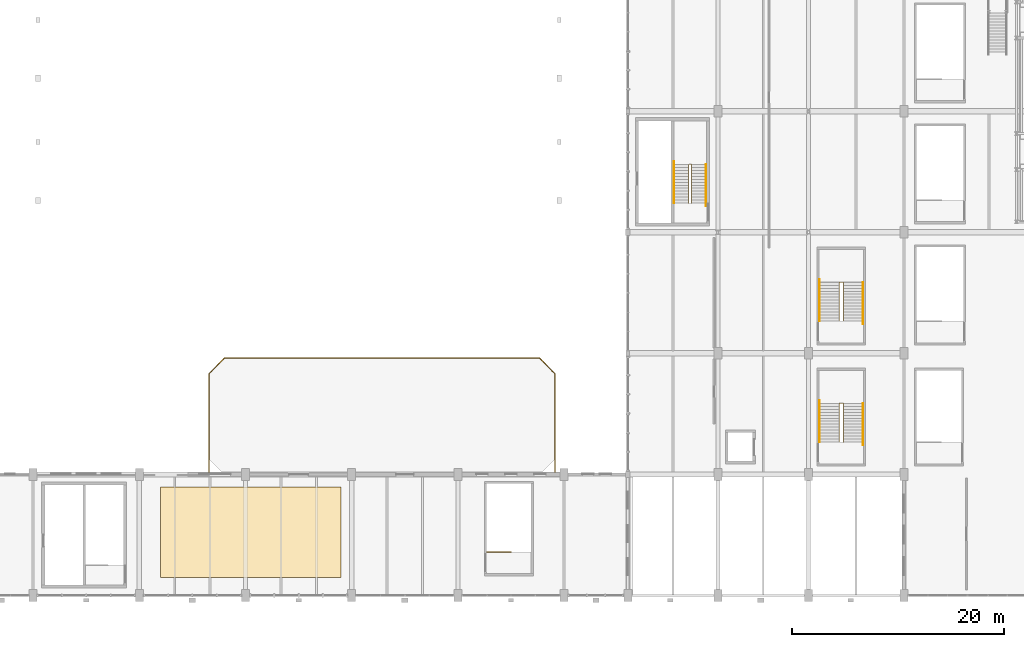
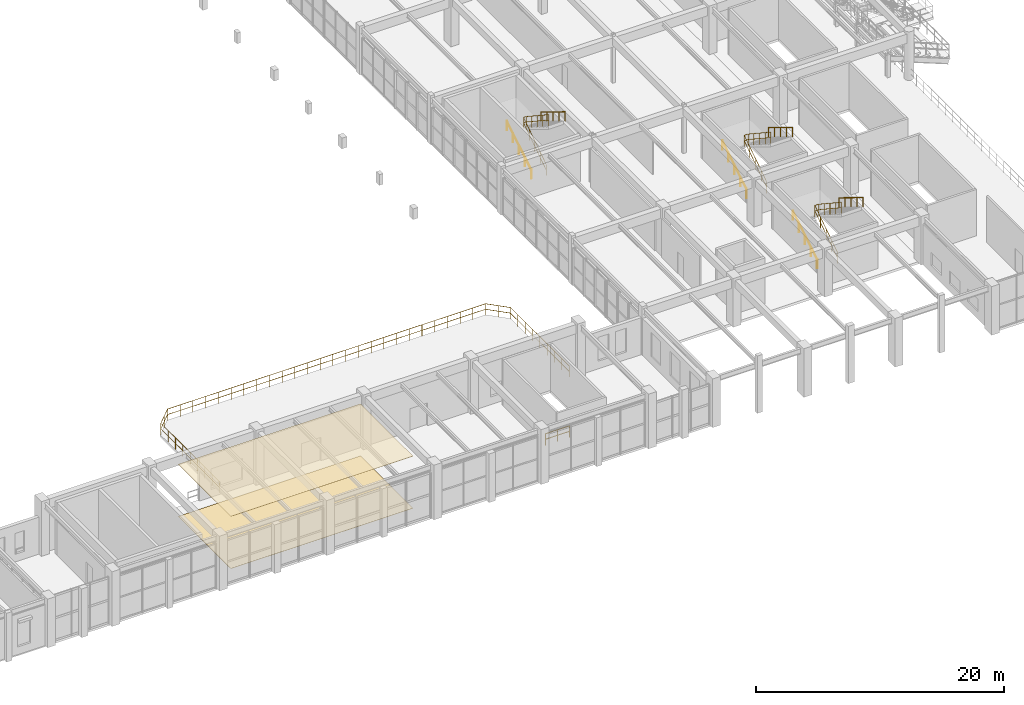
# One storey, part 99 of 106: 11 railings, 2 coverings.
"""IFC4 building model written with IfcOpenShell, lengths in metres."""

from ifc_helpers import new_model, si_unit, direction, frame, origin, origin_2d, place, context, subcontext, project, spatial, polyline, circle, outline, extrude, material, layer, layer_set, type_object, element, save


model = new_model("IFC4")

# Units and contexts
model_context = context("Model", 3, precision=1e-05, world=origin(), true_north=direction((0.0, 1.0)))
body_context = subcontext(model_context, "Body", "Model", "MODEL_VIEW")
ifc_project = project(units=[si_unit("LENGTHUNIT", "METRE"), si_unit("AREAUNIT", "SQUARE_METRE"), si_unit("VOLUMEUNIT", "CUBIC_METRE"), si_unit("PLANEANGLEUNIT", "RADIAN"), si_unit("MASSUNIT", "GRAM", prefix="KILO"), si_unit("POWERUNIT", "WATT"), si_unit("THERMODYNAMICTEMPERATUREUNIT", "KELVIN")], contexts=[model_context])

# Site, building, storey
site_placement = place(None, origin())
site = spatial("IfcSite", under=ifc_project, at=site_placement, CompositionType="ELEMENT")
building_placement = place(site_placement, origin())
building = spatial("IfcBuilding", under=site, at=building_placement, Name="Kelmbourne Parkland Aquatics Centre", CompositionType="ELEMENT")
storey_placement = place(building_placement, frame((0.0, 0.0, 5.39990234375)))
storey = spatial("IfcBuildingStorey", under=building, at=storey_placement, Name="L01", CompositionType="ELEMENT", Elevation=5.39990234375)

# Coverings
ifc_material_1 = material(Name="Moisture-resistant acoustic mineral-fibre baffle ceiling", Category="gypsum")
ifc_layer_1 = layer(ifc_material_1, 0.02490234375)
ifc_layer_set_1 = layer_set([ifc_layer_1], Name="Moisture-resistant acoustic mineral-fibre baffle ceiling")
covering_type_1 = type_object("IfcCoveringType", Name="COV-CLG-AC", PredefinedType="CEILING", material=ifc_layer_set_1)
covering_1_placement = place(storey_placement, frame((0.0, 0.0, 5.135009765625)))
element("IfcCovering", 1, at=covering_1_placement, inside=storey, type_object=covering_type_1, Name="Gallery acoustic ceiling baffles", PredefinedType="CEILING", context=body_context, shape_type="SweptSolid", body=[
    extrude(outline(polyline([(58.0, 2.5), (75.0, 2.5), (75.0, 11.0), (58.0, 11.0), (58.0, 2.5)])), origin(), (0.0, 0.0, 1.0), 0.025146484375),
])
ifc_material_2 = material(Name="Anti-slip vitrified ceramic aquatic deck tile", Category="ceramic")
ifc_layer_2 = layer(ifc_material_2, 0.02001953125)
ifc_layer_set_2 = layer_set([ifc_layer_2], Name="Anti-slip vitrified ceramic aquatic deck tile")
covering_type_2 = type_object("IfcCoveringType", Name="COV-FLR-TILE", PredefinedType="FLOORING", material=ifc_layer_set_2)
covering_2_placement = place(storey_placement, origin())
element("IfcCovering", 2, at=covering_2_placement, inside=storey, type_object=covering_type_2, Name="Gallery anti-slip floor tiling", PredefinedType="FLOORING", context=body_context, shape_type="SweptSolid", body=[
    extrude(outline(polyline([(58.0, 2.5), (75.0, 2.5), (75.0, 11.0), (58.0, 11.0), (58.0, 2.5)])), origin(), (0.0, 0.0, 1.0), 0.02001953125),
])

# Railings
ifc_material_3 = material(Name="Grade 316 stainless steel and laminated glass balustrade", Category="glass")
ifc_layer_3 = layer(ifc_material_3, 0.06005859375)
ifc_layer_set_3 = layer_set([ifc_layer_3], Name="Grade 316 stainless steel and laminated glass balustrade")
railing_type_1 = type_object("IfcRailingType", Name="RL-BL-114", PredefinedType="BALUSTRADE", material=ifc_layer_set_3)
railing_1_placement = place(storey_placement, frame((62.550048828125, 12.219970703125, 0.0)))
element("IfcRailing", 3, at=railing_1_placement, inside=storey, type_object=railing_type_1, Name="Safety balustrade BAL-TER-L01-V3", PredefinedType="BALUSTRADE", context=body_context, shape_type="SweptSolid", body=[
    extrude(circle(Radius=0.02392578125, at=origin_2d()), frame((0.0, 0.0, 1.11572265625), z_axis=(0.0, 1.0, 0.0), x_axis=(-1.0, 0.0, 0.0)), (0.0, 0.0, 1.0), 9.4599609375),
    extrude(circle(Radius=0.02392578125, at=origin_2d()), frame((0.0, 0.0, 0.56982421875), z_axis=(0.0, 1.0, 0.0), x_axis=(-1.0, 0.0, 0.0)), (0.0, 0.0, 1.0), 9.4599609375),
    extrude(circle(Radius=0.02392578125, at=origin_2d()), frame((0.0, 9.4599609375, 1.11572265625), z_axis=(0.707106781187, 0.707106781187, 0.0), x_axis=(-0.707106781187, 0.707106781187, 0.0)), (0.0, 0.0, 1.0), 2.078857421875),
    extrude(circle(Radius=0.02392578125, at=origin_2d()), frame((0.0, 9.4599609375, 0.56982421875), z_axis=(0.707106781187, 0.707106781187, 0.0), x_axis=(-0.707106781187, 0.707106781187, 0.0)), (0.0, 0.0, 1.0), 2.078857421875),
    extrude(circle(Radius=0.02392578125, at=origin_2d()), frame((1.469970703125, 10.929931640625, 1.11572265625), z_axis=(1.0, 0.0, 0.0), x_axis=(0.0, 1.0, 0.0)), (0.0, 0.0, 1.0), 29.659912109375),
    extrude(circle(Radius=0.02392578125, at=origin_2d()), frame((1.469970703125, 10.929931640625, 0.56982421875), z_axis=(1.0, 0.0, 0.0), x_axis=(0.0, 1.0, 0.0)), (0.0, 0.0, 1.0), 29.659912109375),
    extrude(circle(Radius=0.02392578125, at=origin_2d()), frame((31.1298828125, 10.929931640625, 1.11572265625), z_axis=(0.707106781187, -0.707106781187, 0.0), x_axis=(0.707106781187, 0.707106781187, 0.0)), (0.0, 0.0, 1.0), 2.078857421875),
    extrude(circle(Radius=0.02392578125, at=origin_2d()), frame((31.1298828125, 10.929931640625, 0.56982421875), z_axis=(0.707106781187, -0.707106781187, 0.0), x_axis=(0.707106781187, 0.707106781187, 0.0)), (0.0, 0.0, 1.0), 2.078857421875),
    extrude(circle(Radius=0.02392578125, at=origin_2d()), frame((32.599853515625, 9.4599609375, 1.11572265625), z_axis=(0.0, -1.0, 0.0), x_axis=(1.0, 0.0, 0.0)), (0.0, 0.0, 1.0), 9.4599609375),
    extrude(circle(Radius=0.02392578125, at=origin_2d()), frame((32.599853515625, 9.4599609375, 0.56982421875), z_axis=(0.0, -1.0, 0.0), x_axis=(1.0, 0.0, 0.0)), (0.0, 0.0, 1.0), 9.4599609375),
    extrude(circle(Radius=0.02099609375, at=origin_2d()), origin(), (0.0, 0.0, 1.0), 1.091796875),
    extrude(circle(Radius=0.02099609375, at=origin_2d()), frame((0.0, 1.1826171875, 0.0)), (0.0, 0.0, 1.0), 1.091796875),
    extrude(circle(Radius=0.02099609375, at=origin_2d()), frame((0.0, 2.364990234375, 0.0)), (0.0, 0.0, 1.0), 1.091796875),
    extrude(circle(Radius=0.02099609375, at=origin_2d()), frame((0.0, 3.54736328125, 0.0)), (0.0, 0.0, 1.0), 1.091796875),
    extrude(circle(Radius=0.02099609375, at=origin_2d()), frame((0.0, 4.72998046875, 0.0)), (0.0, 0.0, 1.0), 1.091796875),
    extrude(circle(Radius=0.02099609375, at=origin_2d()), frame((0.0, 5.91259765625, 0.0)), (0.0, 0.0, 1.0), 1.091796875),
    extrude(circle(Radius=0.02099609375, at=origin_2d()), frame((0.0, 7.094970703125, 0.0)), (0.0, 0.0, 1.0), 1.091796875),
    extrude(circle(Radius=0.02099609375, at=origin_2d()), frame((0.0, 8.27734375, 0.0)), (0.0, 0.0, 1.0), 1.091796875),
    extrude(circle(Radius=0.02099609375, at=origin_2d()), frame((0.0, 9.4599609375, 0.0)), (0.0, 0.0, 1.0), 1.091796875),
    extrude(circle(Radius=0.02099609375, at=origin_2d()), frame((0.73486328125, 10.19482421875, 0.0)), (0.0, 0.0, 1.0), 1.091796875),
    extrude(circle(Radius=0.02099609375, at=origin_2d()), frame((1.469970703125, 10.929931640625, 0.0)), (0.0, 0.0, 1.0), 1.091796875),
    extrude(circle(Radius=0.02099609375, at=origin_2d()), frame((2.65625, 10.929931640625, 0.0)), (0.0, 0.0, 1.0), 1.091796875),
    extrude(circle(Radius=0.02099609375, at=origin_2d()), frame((3.8427734375, 10.929931640625, 0.0)), (0.0, 0.0, 1.0), 1.091796875),
    extrude(circle(Radius=0.02099609375, at=origin_2d()), frame((5.029052734375, 10.929931640625, 0.0)), (0.0, 0.0, 1.0), 1.091796875),
    extrude(circle(Radius=0.02099609375, at=origin_2d()), frame((6.215576171875, 10.929931640625, 0.0)), (0.0, 0.0, 1.0), 1.091796875),
    extrude(circle(Radius=0.02099609375, at=origin_2d()), frame((7.40185546875, 10.929931640625, 0.0)), (0.0, 0.0, 1.0), 1.091796875),
    extrude(circle(Radius=0.02099609375, at=origin_2d()), frame((8.58837890625, 10.929931640625, 0.0)), (0.0, 0.0, 1.0), 1.091796875),
    extrude(circle(Radius=0.02099609375, at=origin_2d()), frame((9.774658203125, 10.929931640625, 0.0)), (0.0, 0.0, 1.0), 1.091796875),
    extrude(circle(Radius=0.02099609375, at=origin_2d()), frame((10.961181640625, 10.929931640625, 0.0)), (0.0, 0.0, 1.0), 1.091796875),
    extrude(circle(Radius=0.02099609375, at=origin_2d()), frame((12.1474609375, 10.929931640625, 0.0)), (0.0, 0.0, 1.0), 1.091796875),
    extrude(circle(Radius=0.02099609375, at=origin_2d()), frame((13.333984375, 10.929931640625, 0.0)), (0.0, 0.0, 1.0), 1.091796875),
    extrude(circle(Radius=0.02099609375, at=origin_2d()), frame((14.520263671875, 10.929931640625, 0.0)), (0.0, 0.0, 1.0), 1.091796875),
    extrude(circle(Radius=0.02099609375, at=origin_2d()), frame((15.706787109375, 10.929931640625, 0.0)), (0.0, 0.0, 1.0), 1.091796875),
    extrude(circle(Radius=0.02099609375, at=origin_2d()), frame((16.89306640625, 10.929931640625, 0.0)), (0.0, 0.0, 1.0), 1.091796875),
    extrude(circle(Radius=0.02099609375, at=origin_2d()), frame((18.07958984375, 10.929931640625, 0.0)), (0.0, 0.0, 1.0), 1.091796875),
    extrude(circle(Radius=0.02099609375, at=origin_2d()), frame((19.265869140625, 10.929931640625, 0.0)), (0.0, 0.0, 1.0), 1.091796875),
    extrude(circle(Radius=0.02099609375, at=origin_2d()), frame((20.452392578125, 10.929931640625, 0.0)), (0.0, 0.0, 1.0), 1.091796875),
    extrude(circle(Radius=0.02099609375, at=origin_2d()), frame((21.638671875, 10.929931640625, 0.0)), (0.0, 0.0, 1.0), 1.091796875),
    extrude(circle(Radius=0.02099609375, at=origin_2d()), frame((22.8251953125, 10.929931640625, 0.0)), (0.0, 0.0, 1.0), 1.091796875),
    extrude(circle(Radius=0.02099609375, at=origin_2d()), frame((24.011474609375, 10.929931640625, 0.0)), (0.0, 0.0, 1.0), 1.091796875),
    extrude(circle(Radius=0.02099609375, at=origin_2d()), frame((25.197998046875, 10.929931640625, 0.0)), (0.0, 0.0, 1.0), 1.091796875),
    extrude(circle(Radius=0.02099609375, at=origin_2d()), frame((26.38427734375, 10.929931640625, 0.0)), (0.0, 0.0, 1.0), 1.091796875),
    extrude(circle(Radius=0.02099609375, at=origin_2d()), frame((27.57080078125, 10.929931640625, 0.0)), (0.0, 0.0, 1.0), 1.091796875),
    extrude(circle(Radius=0.02099609375, at=origin_2d()), frame((28.757080078125, 10.929931640625, 0.0)), (0.0, 0.0, 1.0), 1.091796875),
    extrude(circle(Radius=0.02099609375, at=origin_2d()), frame((29.943603515625, 10.929931640625, 0.0)), (0.0, 0.0, 1.0), 1.091796875),
    extrude(circle(Radius=0.02099609375, at=origin_2d()), frame((31.1298828125, 10.929931640625, 0.0)), (0.0, 0.0, 1.0), 1.091796875),
    extrude(circle(Radius=0.02099609375, at=origin_2d()), frame((31.86474609375, 10.19482421875, 0.0)), (0.0, 0.0, 1.0), 1.091796875),
    extrude(circle(Radius=0.02099609375, at=origin_2d()), frame((32.599853515625, 9.4599609375, 0.0)), (0.0, 0.0, 1.0), 1.091796875),
    extrude(circle(Radius=0.02099609375, at=origin_2d()), frame((32.599853515625, 8.27734375, 0.0)), (0.0, 0.0, 1.0), 1.091796875),
    extrude(circle(Radius=0.02099609375, at=origin_2d()), frame((32.599853515625, 7.094970703125, 0.0)), (0.0, 0.0, 1.0), 1.091796875),
    extrude(circle(Radius=0.02099609375, at=origin_2d()), frame((32.599853515625, 5.91259765625, 0.0)), (0.0, 0.0, 1.0), 1.091796875),
    extrude(circle(Radius=0.02099609375, at=origin_2d()), frame((32.599853515625, 4.72998046875, 0.0)), (0.0, 0.0, 1.0), 1.091796875),
    extrude(circle(Radius=0.02099609375, at=origin_2d()), frame((32.599853515625, 3.54736328125, 0.0)), (0.0, 0.0, 1.0), 1.091796875),
    extrude(circle(Radius=0.02099609375, at=origin_2d()), frame((32.599853515625, 2.364990234375, 0.0)), (0.0, 0.0, 1.0), 1.091796875),
    extrude(circle(Radius=0.02099609375, at=origin_2d()), frame((32.599853515625, 1.1826171875, 0.0)), (0.0, 0.0, 1.0), 1.091796875),
    extrude(circle(Radius=0.02099609375, at=origin_2d()), frame((32.599853515625, 0.0, 0.0)), (0.0, 0.0, 1.0), 1.091796875),
])
ifc_material_4 = material(Name="Grade 316 marine stainless steel", Category="steel")
railing_type_2 = type_object("IfcRailingType", Name="RL-GD-112", PredefinedType="GUARDRAIL", material=ifc_material_4)
railing_2_placement = place(storey_placement, frame((107.7451171875, 37.75, 0.0)))
element("IfcRailing", 4, at=railing_2_placement, inside=storey, type_object=railing_type_2, Name="East Spine Club and Village Core Stair ST04 well guardrail", PredefinedType="GUARDRAIL", context=body_context, shape_type="SweptSolid", body=[
    extrude(circle(Radius=0.02392578125, at=origin_2d()), frame((0.0, 0.0, 1.09619140625), z_axis=(0.0, 0.834839479206, 0.550493454965), x_axis=(-1.0, 0.0, 0.0)), (0.0, 0.0, 1.0), 4.360107421875),
    extrude(circle(Radius=0.02392578125, at=origin_2d()), frame((0.0, 0.0, 0.56005859375), z_axis=(0.0, 0.834839479206, 0.550493454965), x_axis=(-1.0, 0.0, 0.0)), (0.0, 0.0, 1.0), 4.360107421875),
    extrude(circle(Radius=0.02392578125, at=origin_2d()), frame((0.0, 3.639892578125, 3.49609375), z_axis=(1.0, 0.0, 0.0), x_axis=(0.0, 1.0, 0.0)), (0.0, 0.0, 1.0), 0.23486328125),
    extrude(circle(Radius=0.02392578125, at=origin_2d()), frame((0.0, 3.639892578125, 2.960205078125), z_axis=(1.0, 0.0, 0.0), x_axis=(0.0, 1.0, 0.0)), (0.0, 0.0, 1.0), 0.23486328125),
    extrude(circle(Radius=0.02392578125, at=origin_2d()), frame((0.23486328125, 3.639892578125, 3.49609375), z_axis=(0.0, -0.834865213223, 0.550454426587), x_axis=(1.0, 0.0, 0.0)), (0.0, 0.0, 1.0), 4.35986328125),
    extrude(circle(Radius=0.02392578125, at=origin_2d()), frame((0.23486328125, 3.639892578125, 2.960205078125), z_axis=(0.0, -0.834865213223, 0.550454426587), x_axis=(1.0, 0.0, 0.0)), (0.0, 0.0, 1.0), 4.35986328125),
    extrude(circle(Radius=0.02099609375, at=origin_2d()), origin(), (0.0, 0.0, 1.0), 1.072021484375),
    extrude(circle(Radius=0.02099609375, at=origin_2d()), frame((0.0, 0.909912109375, 0.60009765625)), (0.0, 0.0, 1.0), 1.072021484375),
    extrude(circle(Radius=0.02099609375, at=origin_2d()), frame((0.0, 1.81982421875, 1.2001953125)), (0.0, 0.0, 1.0), 1.072021484375),
    extrude(circle(Radius=0.02099609375, at=origin_2d()), frame((0.0, 2.72998046875, 1.800048828125)), (0.0, 0.0, 1.0), 1.072021484375),
    extrude(circle(Radius=0.02099609375, at=origin_2d()), frame((0.0, 3.639892578125, 2.400146484375)), (0.0, 0.0, 1.0), 1.072021484375),
    extrude(circle(Radius=0.02099609375, at=origin_2d()), frame((0.23486328125, 3.639892578125, 2.400146484375)), (0.0, 0.0, 1.0), 1.072021484375),
    extrude(circle(Radius=0.02099609375, at=origin_2d()), frame((0.23486328125, 2.72998046875, 3.0)), (0.0, 0.0, 1.0), 1.072021484375),
    extrude(circle(Radius=0.02099609375, at=origin_2d()), frame((0.23486328125, 1.81982421875, 3.60009765625)), (0.0, 0.0, 1.0), 1.072021484375),
    extrude(circle(Radius=0.02099609375, at=origin_2d()), frame((0.23486328125, 0.909912109375, 4.2001953125)), (0.0, 0.0, 1.0), 1.072021484375),
    extrude(circle(Radius=0.02099609375, at=origin_2d()), frame((0.23486328125, 0.0, 4.800048828125)), (0.0, 0.0, 1.0), 1.072021484375),
])
railing_3_placement = place(storey_placement, frame((121.919921875, 15.25, 0.0)))
element("IfcRailing", 5, at=railing_3_placement, inside=storey, type_object=railing_type_2, Name="South East Concourse Exit Stair well guardrail", PredefinedType="GUARDRAIL", context=body_context, shape_type="SweptSolid", body=[
    extrude(circle(Radius=0.02392578125, at=origin_2d()), frame((0.0, 0.0, 1.09619140625), z_axis=(0.0, 0.834839479206, 0.550493454965), x_axis=(-1.0, 0.0, 0.0)), (0.0, 0.0, 1.0), 4.360107421875),
    extrude(circle(Radius=0.02392578125, at=origin_2d()), frame((0.0, 0.0, 0.56005859375), z_axis=(0.0, 0.834839479206, 0.550493454965), x_axis=(-1.0, 0.0, 0.0)), (0.0, 0.0, 1.0), 4.360107421875),
    extrude(circle(Radius=0.02392578125, at=origin_2d()), frame((0.0, 3.639892578125, 3.49609375), z_axis=(1.0, 0.0, 0.0), x_axis=(0.0, 1.0, 0.0)), (0.0, 0.0, 1.0), 0.360107421875),
    extrude(circle(Radius=0.02392578125, at=origin_2d()), frame((0.0, 3.639892578125, 2.960205078125), z_axis=(1.0, 0.0, 0.0), x_axis=(0.0, 1.0, 0.0)), (0.0, 0.0, 1.0), 0.360107421875),
    extrude(circle(Radius=0.02392578125, at=origin_2d()), frame((0.360107421875, 3.639892578125, 3.49609375), z_axis=(0.0, -0.834865213223, 0.550454426587), x_axis=(1.0, 0.0, 0.0)), (0.0, 0.0, 1.0), 4.35986328125),
    extrude(circle(Radius=0.02392578125, at=origin_2d()), frame((0.360107421875, 3.639892578125, 2.960205078125), z_axis=(0.0, -0.834865213223, 0.550454426587), x_axis=(1.0, 0.0, 0.0)), (0.0, 0.0, 1.0), 4.35986328125),
    extrude(circle(Radius=0.02099609375, at=origin_2d()), origin(), (0.0, 0.0, 1.0), 1.072021484375),
    extrude(circle(Radius=0.02099609375, at=origin_2d()), frame((0.0, 0.909912109375, 0.60009765625)), (0.0, 0.0, 1.0), 1.072021484375),
    extrude(circle(Radius=0.02099609375, at=origin_2d()), frame((0.0, 1.81982421875, 1.2001953125)), (0.0, 0.0, 1.0), 1.072021484375),
    extrude(circle(Radius=0.02099609375, at=origin_2d()), frame((0.0, 2.72998046875, 1.800048828125)), (0.0, 0.0, 1.0), 1.072021484375),
    extrude(circle(Radius=0.02099609375, at=origin_2d()), frame((0.0, 3.639892578125, 2.400146484375)), (0.0, 0.0, 1.0), 1.072021484375),
    extrude(circle(Radius=0.02099609375, at=origin_2d()), frame((0.360107421875, 3.639892578125, 2.400146484375)), (0.0, 0.0, 1.0), 1.072021484375),
    extrude(circle(Radius=0.02099609375, at=origin_2d()), frame((0.360107421875, 2.72998046875, 3.0)), (0.0, 0.0, 1.0), 1.072021484375),
    extrude(circle(Radius=0.02099609375, at=origin_2d()), frame((0.360107421875, 1.81982421875, 3.60009765625)), (0.0, 0.0, 1.0), 1.072021484375),
    extrude(circle(Radius=0.02099609375, at=origin_2d()), frame((0.360107421875, 0.909912109375, 4.2001953125)), (0.0, 0.0, 1.0), 1.072021484375),
    extrude(circle(Radius=0.02099609375, at=origin_2d()), frame((0.360107421875, 0.0, 4.800048828125)), (0.0, 0.0, 1.0), 1.072021484375),
])
railing_4_placement = place(storey_placement, frame((88.719970703125, 4.89990234375, 0.0)))
element("IfcRailing", 6, at=railing_4_placement, inside=storey, type_object=railing_type_2, Name="Foyer East Gallery Exit Stair top well guardrail", PredefinedType="GUARDRAIL", context=body_context, shape_type="SweptSolid", body=[
    extrude(circle(Radius=0.02392578125, at=origin_2d()), frame((0.0, 0.0, 1.09619140625), z_axis=(1.0, 0.0, 0.0), x_axis=(0.0, 1.0, 0.0)), (0.0, 0.0, 1.0), 2.260009765625),
    extrude(circle(Radius=0.02392578125, at=origin_2d()), frame((0.0, 0.0, 0.56005859375), z_axis=(1.0, 0.0, 0.0), x_axis=(0.0, 1.0, 0.0)), (0.0, 0.0, 1.0), 2.260009765625),
    extrude(circle(Radius=0.02099609375, at=origin_2d()), origin(), (0.0, 0.0, 1.0), 1.072021484375),
    extrude(circle(Radius=0.02099609375, at=origin_2d()), frame((1.1298828125, 0.0, 0.0)), (0.0, 0.0, 1.0), 1.072021484375),
    extrude(circle(Radius=0.02099609375, at=origin_2d()), frame((2.260009765625, 0.0, 0.0)), (0.0, 0.0, 1.0), 1.072021484375),
])
railing_5_placement = place(storey_placement, frame((121.919921875, 26.64990234375, 0.0)))
element("IfcRailing", 7, at=railing_5_placement, inside=storey, type_object=railing_type_2, Name="East Club Terrace Exit Stair well guardrail", PredefinedType="GUARDRAIL", context=body_context, shape_type="SweptSolid", body=[
    extrude(circle(Radius=0.02392578125, at=origin_2d()), frame((0.0, 0.0, 1.09619140625), z_axis=(0.0, 0.834856447115, 0.55046772177), x_axis=(-1.0, 0.0, 0.0)), (0.0, 0.0, 1.0), 4.360107421875),
    extrude(circle(Radius=0.02392578125, at=origin_2d()), frame((0.0, 0.0, 0.56005859375), z_axis=(0.0, 0.834856447115, 0.55046772177), x_axis=(-1.0, 0.0, 0.0)), (0.0, 0.0, 1.0), 4.360107421875),
    extrude(circle(Radius=0.02392578125, at=origin_2d()), frame((0.0, 3.64013671875, 3.49609375), z_axis=(1.0, 0.0, 0.0), x_axis=(0.0, 1.0, 0.0)), (0.0, 0.0, 1.0), 0.360107421875),
    extrude(circle(Radius=0.02392578125, at=origin_2d()), frame((0.0, 3.64013671875, 2.960205078125), z_axis=(1.0, 0.0, 0.0), x_axis=(0.0, 1.0, 0.0)), (0.0, 0.0, 1.0), 0.360107421875),
    extrude(circle(Radius=0.02392578125, at=origin_2d()), frame((0.360107421875, 3.64013671875, 3.49609375), z_axis=(0.0, -0.83488217925, 0.55042869363), x_axis=(1.0, 0.0, 0.0)), (0.0, 0.0, 1.0), 4.360107421875),
    extrude(circle(Radius=0.02392578125, at=origin_2d()), frame((0.360107421875, 3.64013671875, 2.960205078125), z_axis=(0.0, -0.83488217925, 0.55042869363), x_axis=(1.0, 0.0, 0.0)), (0.0, 0.0, 1.0), 4.360107421875),
    extrude(circle(Radius=0.02099609375, at=origin_2d()), origin(), (0.0, 0.0, 1.0), 1.072021484375),
    extrude(circle(Radius=0.02099609375, at=origin_2d()), frame((0.0, 0.91015625, 0.60009765625)), (0.0, 0.0, 1.0), 1.072021484375),
    extrude(circle(Radius=0.02099609375, at=origin_2d()), frame((0.0, 1.820068359375, 1.2001953125)), (0.0, 0.0, 1.0), 1.072021484375),
    extrude(circle(Radius=0.02099609375, at=origin_2d()), frame((0.0, 2.72998046875, 1.800048828125)), (0.0, 0.0, 1.0), 1.072021484375),
    extrude(circle(Radius=0.02099609375, at=origin_2d()), frame((0.0, 3.64013671875, 2.400146484375)), (0.0, 0.0, 1.0), 1.072021484375),
    extrude(circle(Radius=0.02099609375, at=origin_2d()), frame((0.360107421875, 3.64013671875, 2.400146484375)), (0.0, 0.0, 1.0), 1.072021484375),
    extrude(circle(Radius=0.02099609375, at=origin_2d()), frame((0.360107421875, 2.72998046875, 3.0)), (0.0, 0.0, 1.0), 1.072021484375),
    extrude(circle(Radius=0.02099609375, at=origin_2d()), frame((0.360107421875, 1.820068359375, 3.60009765625)), (0.0, 0.0, 1.0), 1.072021484375),
    extrude(circle(Radius=0.02099609375, at=origin_2d()), frame((0.360107421875, 0.91015625, 4.2001953125)), (0.0, 0.0, 1.0), 1.072021484375),
    extrude(circle(Radius=0.02099609375, at=origin_2d()), frame((0.360107421875, 0.0, 4.800048828125)), (0.0, 0.0, 1.0), 1.072021484375),
])
railing_type_3 = type_object("IfcRailingType", Name="RL-HR-92", PredefinedType="HANDRAIL", material=ifc_material_4)
railing_6_placement = place(storey_placement, frame((106.364990234375, 37.75, 0.17138671875)))
element("IfcRailing", 8, at=railing_6_placement, inside=storey, type_object=railing_type_3, Name="East Spine Club and Village Core Stair ST04 F1 handrail", PredefinedType="HANDRAIL", context=body_context, shape_type="SweptSolid", body=[
    extrude(circle(Radius=0.02392578125, at=origin_2d()), frame((0.0, 0.0, 0.89599609375), z_axis=(0.0, 0.852832477147, 0.522184609045), x_axis=(-1.0, 0.0, 0.0)), (0.0, 0.0, 1.0), 4.596435546875),
    extrude(circle(Radius=0.02099609375, at=origin_2d()), origin(), (0.0, 0.0, 1.0), 0.871826171875),
    extrude(circle(Radius=0.02099609375, at=origin_2d()), frame((0.0, 0.97998046875, 0.60009765625)), (0.0, 0.0, 1.0), 0.871826171875),
    extrude(circle(Radius=0.02099609375, at=origin_2d()), frame((0.0, 1.9599609375, 1.2001953125)), (0.0, 0.0, 1.0), 0.871826171875),
    extrude(circle(Radius=0.02099609375, at=origin_2d()), frame((0.0, 2.93994140625, 1.800048828125)), (0.0, 0.0, 1.0), 0.871826171875),
    extrude(circle(Radius=0.02099609375, at=origin_2d()), frame((0.0, 3.919921875, 2.400146484375)), (0.0, 0.0, 1.0), 0.871826171875),
])
railing_7_placement = place(storey_placement, frame((109.360107421875, 41.389892578125, 2.571533203125)))
element("IfcRailing", 9, at=railing_7_placement, inside=storey, type_object=railing_type_3, Name="East Spine Club and Village Core Stair ST04 F2 handrail", PredefinedType="HANDRAIL", context=body_context, shape_type="SweptSolid", body=[
    extrude(circle(Radius=0.02392578125, at=origin_2d()), frame((0.0, 0.0, 0.89599609375), z_axis=(0.0, -0.852856131449, 0.522145974847), x_axis=(1.0, 0.0, 0.0)), (0.0, 0.0, 1.0), 4.59619140625),
    extrude(circle(Radius=0.02099609375, at=origin_2d()), origin(), (0.0, 0.0, 1.0), 0.871826171875),
    extrude(circle(Radius=0.02099609375, at=origin_2d()), frame((0.0, -0.97998046875, 0.60009765625)), (0.0, 0.0, 1.0), 0.871826171875),
    extrude(circle(Radius=0.02099609375, at=origin_2d()), frame((0.0, -1.9599609375, 1.199951171875)), (0.0, 0.0, 1.0), 0.871826171875),
    extrude(circle(Radius=0.02099609375, at=origin_2d()), frame((0.0, -2.93994140625, 1.7998046875)), (0.0, 0.0, 1.0), 0.871826171875),
    extrude(circle(Radius=0.02099609375, at=origin_2d()), frame((0.0, -3.919921875, 2.39990234375)), (0.0, 0.0, 1.0), 0.871826171875),
])
railing_8_placement = place(storey_placement, frame((120.0400390625, 15.25, 0.17138671875)))
element("IfcRailing", 10, at=railing_8_placement, inside=storey, type_object=railing_type_3, Name="South East Concourse Exit Stair F1 handrail", PredefinedType="HANDRAIL", context=body_context, shape_type="SweptSolid", body=[
    extrude(circle(Radius=0.02392578125, at=origin_2d()), frame((0.0, 0.0, 0.89599609375), z_axis=(0.0, 0.852832477147, 0.522184609045), x_axis=(-1.0, 0.0, 0.0)), (0.0, 0.0, 1.0), 4.596435546875),
    extrude(circle(Radius=0.02099609375, at=origin_2d()), origin(), (0.0, 0.0, 1.0), 0.871826171875),
    extrude(circle(Radius=0.02099609375, at=origin_2d()), frame((0.0, 0.97998046875, 0.60009765625)), (0.0, 0.0, 1.0), 0.871826171875),
    extrude(circle(Radius=0.02099609375, at=origin_2d()), frame((0.0, 1.9599609375, 1.2001953125)), (0.0, 0.0, 1.0), 0.871826171875),
    extrude(circle(Radius=0.02099609375, at=origin_2d()), frame((0.0, 2.93994140625, 1.800048828125)), (0.0, 0.0, 1.0), 0.871826171875),
    extrude(circle(Radius=0.02099609375, at=origin_2d()), frame((0.0, 3.919921875, 2.400146484375)), (0.0, 0.0, 1.0), 0.871826171875),
])
railing_9_placement = place(storey_placement, frame((124.159912109375, 18.889892578125, 2.571533203125)))
element("IfcRailing", 11, at=railing_9_placement, inside=storey, type_object=railing_type_3, Name="South East Concourse Exit Stair F2 handrail", PredefinedType="HANDRAIL", context=body_context, shape_type="SweptSolid", body=[
    extrude(circle(Radius=0.02392578125, at=origin_2d()), frame((0.0, 0.0, 0.89599609375), z_axis=(0.0, -0.852856131449, 0.522145974847), x_axis=(1.0, 0.0, 0.0)), (0.0, 0.0, 1.0), 4.59619140625),
    extrude(circle(Radius=0.02099609375, at=origin_2d()), origin(), (0.0, 0.0, 1.0), 0.871826171875),
    extrude(circle(Radius=0.02099609375, at=origin_2d()), frame((0.0, -0.97998046875, 0.60009765625)), (0.0, 0.0, 1.0), 0.871826171875),
    extrude(circle(Radius=0.02099609375, at=origin_2d()), frame((0.0, -1.9599609375, 1.199951171875)), (0.0, 0.0, 1.0), 0.871826171875),
    extrude(circle(Radius=0.02099609375, at=origin_2d()), frame((0.0, -2.93994140625, 1.7998046875)), (0.0, 0.0, 1.0), 0.871826171875),
    extrude(circle(Radius=0.02099609375, at=origin_2d()), frame((0.0, -3.919921875, 2.39990234375)), (0.0, 0.0, 1.0), 0.871826171875),
])
railing_10_placement = place(storey_placement, frame((120.0400390625, 26.64990234375, 0.17138671875)))
element("IfcRailing", 12, at=railing_10_placement, inside=storey, type_object=railing_type_3, Name="East Club Terrace Exit Stair F1 handrail", PredefinedType="HANDRAIL", context=body_context, shape_type="SweptSolid", body=[
    extrude(circle(Radius=0.02392578125, at=origin_2d()), frame((0.0, 0.0, 0.89599609375), z_axis=(0.0, 0.852846959695, 0.522160955394), x_axis=(-1.0, 0.0, 0.0)), (0.0, 0.0, 1.0), 4.5966796875),
    extrude(circle(Radius=0.02099609375, at=origin_2d()), origin(), (0.0, 0.0, 1.0), 0.871826171875),
    extrude(circle(Radius=0.02099609375, at=origin_2d()), frame((0.0, 0.97998046875, 0.60009765625)), (0.0, 0.0, 1.0), 0.871826171875),
    extrude(circle(Radius=0.02099609375, at=origin_2d()), frame((0.0, 1.9599609375, 1.2001953125)), (0.0, 0.0, 1.0), 0.871826171875),
    extrude(circle(Radius=0.02099609375, at=origin_2d()), frame((0.0, 2.940185546875, 1.800048828125)), (0.0, 0.0, 1.0), 0.871826171875),
    extrude(circle(Radius=0.02099609375, at=origin_2d()), frame((0.0, 3.920166015625, 2.400146484375)), (0.0, 0.0, 1.0), 0.871826171875),
])
railing_11_placement = place(storey_placement, frame((124.159912109375, 30.2900390625, 2.571533203125)))
element("IfcRailing", 13, at=railing_11_placement, inside=storey, type_object=railing_type_3, Name="East Club Terrace Exit Stair F2 handrail", PredefinedType="HANDRAIL", context=body_context, shape_type="SweptSolid", body=[
    extrude(circle(Radius=0.02392578125, at=origin_2d()), frame((0.0, 0.0, 0.89599609375), z_axis=(0.0, -0.852856131449, 0.522145974847), x_axis=(1.0, 0.0, 0.0)), (0.0, 0.0, 1.0), 4.59619140625),
    extrude(circle(Radius=0.02099609375, at=origin_2d()), origin(), (0.0, 0.0, 1.0), 0.871826171875),
    extrude(circle(Radius=0.02099609375, at=origin_2d()), frame((0.0, -0.97998046875, 0.60009765625)), (0.0, 0.0, 1.0), 0.871826171875),
    extrude(circle(Radius=0.02099609375, at=origin_2d()), frame((0.0, -1.9599609375, 1.199951171875)), (0.0, 0.0, 1.0), 0.871826171875),
    extrude(circle(Radius=0.02099609375, at=origin_2d()), frame((0.0, -2.93994140625, 1.7998046875)), (0.0, 0.0, 1.0), 0.871826171875),
    extrude(circle(Radius=0.02099609375, at=origin_2d()), frame((0.0, -3.919921875, 2.39990234375)), (0.0, 0.0, 1.0), 0.871826171875),
])

save(model, "model.ifc")
